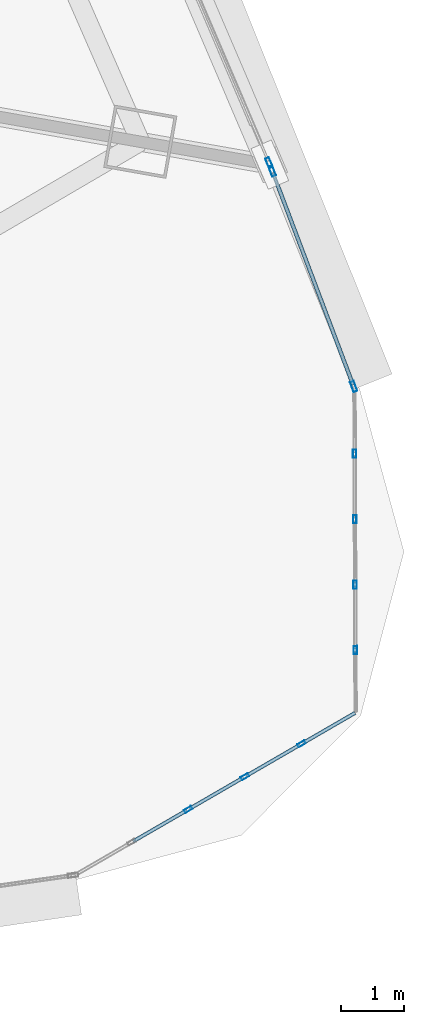
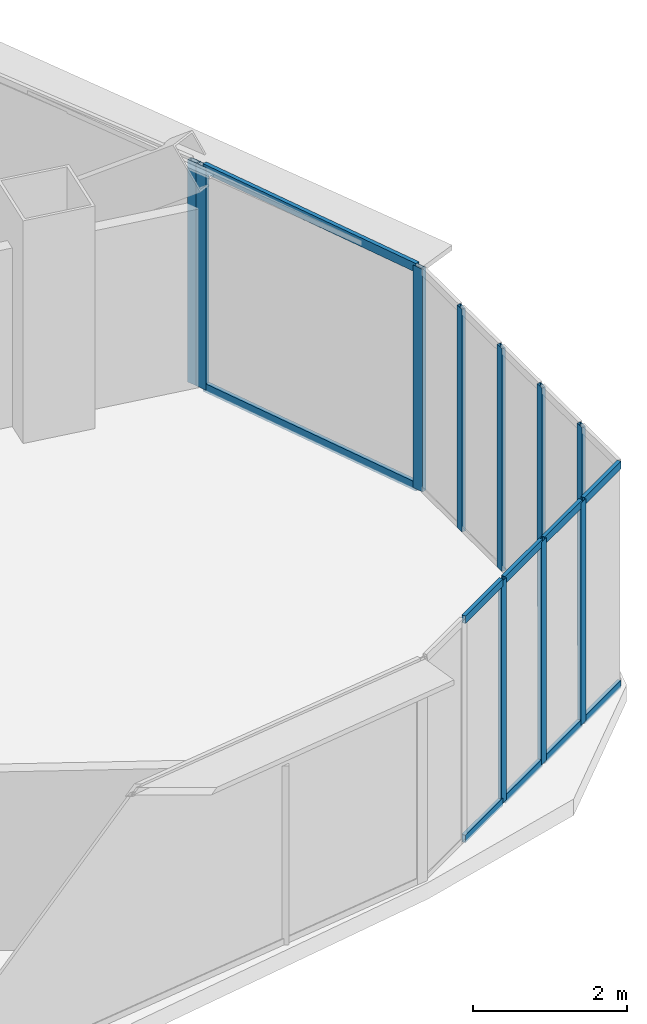
# One storey, part 22 of 39: 20 members, 4 elements without a shape of their own.
"""IFC4 building model written with IfcOpenShell, lengths in metres."""

from ifc_helpers import new_model, si_unit, direction, frame, origin, origin_2d, place, context, subcontext, project, spatial, hollow_rectangle, extrude, source, transform, mapped, material, layer, layer_set, material_profile, profile_set, type_object, element, aggregate, save


model = new_model("IFC4")

# Units and contexts
model_context = context("Model", 3, precision=1e-05, world=origin(), true_north=direction((0.0, 1.0)))
body_context = subcontext(model_context, "Body", "Model", "MODEL_VIEW")
ifc_project = project(units=[si_unit("LENGTHUNIT", "METRE"), si_unit("AREAUNIT", "SQUARE_METRE"), si_unit("VOLUMEUNIT", "CUBIC_METRE"), si_unit("PLANEANGLEUNIT", "RADIAN"), si_unit("MASSUNIT", "GRAM", prefix="KILO"), si_unit("THERMODYNAMICTEMPERATUREUNIT", "KELVIN"), si_unit("POWERUNIT", "WATT")], contexts=[model_context])

# Site, building, storey
site_placement = place(None, origin())
site = spatial("IfcSite", under=ifc_project, at=site_placement, CompositionType="ELEMENT")
building_placement = place(site_placement, origin())
building = spatial("IfcBuilding", under=site, at=building_placement, Name="Yunzhuo Pagoda Commons", CompositionType="ELEMENT")
storey_placement = place(building_placement, frame((0.0, 0.0, 92.580078125)))
storey = spatial("IfcBuildingStorey", under=building, at=storey_placement, Name="L23", CompositionType="ELEMENT", Elevation=92.580078125)

# Curtain wall, member
ifc_material = material(Name="Anodized aluminium 6063-T6", Category="aluminium")
ifc_layer_1 = layer(ifc_material, 0.1650390625)
ifc_layer_set_1 = layer_set([ifc_layer_1], Name="Anodized aluminium 6063-T6")
curtain_wall_type_1 = type_object("IfcCurtainWallType", Name="CW-LOW Low-Zone Ribbon Curtain Wall", PredefinedType="NOTDEFINED", material=ifc_layer_set_1)
curtain_wall_1_placement = place(storey_placement, origin())
curtain_wall_1 = element("IfcCurtainWall", 1, at=curtain_wall_1_placement, inside=storey, type_object=curtain_wall_type_1, Name="L23 curtain wall CW-L23-F2B2", PredefinedType="NOTDEFINED")
ifc_material_profile_1 = material_profile(ifc_material, hollow_rectangle(XDim=0.06494140625, YDim=0.1650390625, WallThickness=0.00390625, at=origin_2d()), Name="Anodized aluminium 6063-T6")
ifc_profile_set_1 = profile_set([ifc_material_profile_1], Name="Anodized aluminium 6063-T6")
member_type_1 = type_object("IfcMemberType", Name="CW-LOW-M Mullion RHS 165x65x4", PredefinedType="MULLION", material=ifc_profile_set_1)
shared_shape_1 = source(origin(), body_context, "Body", "SweptSolid", [
    extrude(hollow_rectangle(XDim=0.06494140625, YDim=0.1650390625, WallThickness=0.00390625, at=origin_2d()), origin(), (0.0, 0.0, 1.0), 3.5400390625),
])
member_1_placement = place(storey_placement, frame((88.39111328125, 26.60546875, 0.0), z_axis=(0.0, 0.0, 1.0), x_axis=(-0.919382894415, -0.393363818185, 0.0)))
member_1 = element("IfcMember", 2, at=member_1_placement, type_object=member_type_1, Name="CW mullion 1", PredefinedType="MULLION", context=body_context, shape_type="MappedRepresentation", body=[
    mapped(shared_shape_1, transform((0.0, 0.0, 0.0), scale=1.0)),
])
aggregate(curtain_wall_1, [member_1])

# Curtain wall, members
curtain_wall_2_placement = place(storey_placement, origin())
curtain_wall_2 = element("IfcCurtainWall", 3, at=curtain_wall_2_placement, inside=storey, type_object=curtain_wall_type_1, Name="L23 curtain wall CW-L23-F2B1", PredefinedType="NOTDEFINED")
member_2_placement = place(storey_placement, frame((89.731201171875, 23.062744140625, 0.0), z_axis=(0.0, 0.0, 1.0), x_axis=(-0.935454086355, -0.353448231461, 0.0)))
member_2 = element("IfcMember", 4, at=member_2_placement, type_object=member_type_1, Name="CW mullion 1", PredefinedType="MULLION", context=body_context, shape_type="MappedRepresentation", body=[
    mapped(shared_shape_1, transform((0.0, 0.0, 0.0), scale=1.0)),
])
member_3_placement = place(storey_placement, frame((88.442138671875, 26.47509765625, 0.0), z_axis=(0.0, 0.0, 1.0), x_axis=(-0.935454086355, -0.353448231461, 0.0)))
member_3 = element("IfcMember", 5, at=member_3_placement, type_object=member_type_1, Name="CW mullion 2", PredefinedType="MULLION", context=body_context, shape_type="MappedRepresentation", body=[
    mapped(shared_shape_1, transform((0.0, 0.0, 0.0), scale=1.0)),
])
ifc_material_profile_2 = material_profile(ifc_material, hollow_rectangle(XDim=0.06005859375, YDim=0.139892578125, WallThickness=0.00341796875, at=origin_2d()), Name="Anodized aluminium 6063-T6")
ifc_profile_set_2 = profile_set([ifc_material_profile_2], Name="Anodized aluminium 6063-T6")
member_type_2 = type_object("IfcMemberType", Name="CW-LOW-T Transom RHS 140x60x3.5", PredefinedType="USERDEFINED", material=ifc_profile_set_2)
shared_shape_2 = source(origin(), body_context, "Body", "SweptSolid", [
    extrude(hollow_rectangle(XDim=0.06005859375, YDim=0.139892578125, WallThickness=0.00341796875, at=origin_2d()), origin(), (0.0, 0.0, 1.0), 3.582763671875),
])
member_4_placement = place(storey_placement, frame((89.7197265625, 23.093017578125, 0.030029296875), z_axis=(-0.353452248865, 0.935452568425, 0.0), x_axis=(-0.935452568425, -0.353452248865, 0.0)))
member_4 = element("IfcMember", 6, at=member_4_placement, type_object=member_type_2, Name="CW transom 1.1", ObjectType="TRANSOM", PredefinedType="USERDEFINED", context=body_context, shape_type="MappedRepresentation", body=[
    mapped(shared_shape_2, transform((0.0, 0.0, 0.0), scale=1.0)),
])
member_5_placement = place(storey_placement, frame((89.7197265625, 23.093017578125, 3.510009765625), z_axis=(-0.353452248865, 0.935452568425, 0.0), x_axis=(-0.935452568425, -0.353452248865, 0.0)))
member_5 = element("IfcMember", 7, at=member_5_placement, type_object=member_type_2, Name="CW transom 1.2", ObjectType="TRANSOM", PredefinedType="USERDEFINED", context=body_context, shape_type="MappedRepresentation", body=[
    mapped(shared_shape_2, transform((0.0, 0.0, 0.0), scale=1.0)),
])
aggregate(curtain_wall_2, [member_2, member_3, member_4, member_5])

ifc_layer_2 = layer(ifc_material, 0.1298828125)
ifc_layer_set_2 = layer_set([ifc_layer_2], Name="Anodized aluminium 6063-T6")
curtain_wall_type_2 = type_object("IfcCurtainWallType", Name="CW-VTX Rounded Corner Curtain Wall", PredefinedType="NOTDEFINED", material=ifc_layer_set_2)
curtain_wall_3_placement = place(storey_placement, origin())
curtain_wall_3 = element("IfcCurtainWall", 8, at=curtain_wall_3_placement, inside=storey, type_object=curtain_wall_type_2, Name="L23 curtain wall CW-L23-VTX2S1", PredefinedType="NOTDEFINED")
ifc_material_profile_3 = material_profile(ifc_material, hollow_rectangle(XDim=0.054931640625, YDim=0.1298828125, WallThickness=0.00341796875, at=origin_2d()), Name="Anodized aluminium 6063-T6")
ifc_profile_set_3 = profile_set([ifc_material_profile_3], Name="Anodized aluminium 6063-T6")
member_type_3 = type_object("IfcMemberType", Name="CW-VTX-M Mullion RHS 130x55x3.5", PredefinedType="MULLION", material=ifc_profile_set_3)
shared_shape_3 = source(origin(), body_context, "Body", "SweptSolid", [
    extrude(hollow_rectangle(XDim=0.054931640625, YDim=0.1298828125, WallThickness=0.00341796875, at=origin_2d()), origin(), (0.0, 0.0, 1.0), 3.5400390625),
])
member_6_placement = place(storey_placement, frame((87.112548828125, 16.36767578125, 0.0), z_axis=(0.0, 0.0, 1.0), x_axis=(-0.501035509214, 0.865426726249, 0.0)))
member_6 = element("IfcMember", 9, at=member_6_placement, type_object=member_type_3, Name="CW mullion 3", PredefinedType="MULLION", context=body_context, shape_type="MappedRepresentation", body=[
    mapped(shared_shape_3, transform((0.0, 0.0, 0.0), scale=1.0)),
])
member_7_placement = place(storey_placement, frame((88.0087890625, 16.886474609375, 0.0), z_axis=(0.0, 0.0, 1.0), x_axis=(-0.501035509214, 0.865426726249, 0.0)))
member_7 = element("IfcMember", 10, at=member_7_placement, type_object=member_type_3, Name="CW mullion 4", PredefinedType="MULLION", context=body_context, shape_type="MappedRepresentation", body=[
    mapped(shared_shape_3, transform((0.0, 0.0, 0.0), scale=1.0)),
])
member_8_placement = place(storey_placement, frame((88.905029296875, 17.4052734375, 0.0), z_axis=(0.0, 0.0, 1.0), x_axis=(-0.501035509214, 0.865426726249, 0.0)))
member_8 = element("IfcMember", 11, at=member_8_placement, type_object=member_type_3, Name="CW mullion 5", PredefinedType="MULLION", context=body_context, shape_type="MappedRepresentation", body=[
    mapped(shared_shape_3, transform((0.0, 0.0, 0.0), scale=1.0)),
])

curtain_wall_4_placement = place(storey_placement, origin())
curtain_wall_4 = element("IfcCurtainWall", 12, at=curtain_wall_4_placement, inside=storey, type_object=curtain_wall_type_2, Name="L23 curtain wall CW-L23-VTX2S2", PredefinedType="NOTDEFINED")
member_9_placement = place(storey_placement, frame((89.757568359375, 18.89013671875, 0.0), z_axis=(0.0, 0.0, 1.0), x_axis=(-0.999993616843, -0.003572992237, 0.0)))
member_9 = element("IfcMember", 13, at=member_9_placement, type_object=member_type_3, Name="CW mullion 2", PredefinedType="MULLION", context=body_context, shape_type="MappedRepresentation", body=[
    mapped(shared_shape_3, transform((0.0, 0.0, 0.0), scale=1.0)),
])
member_10_placement = place(storey_placement, frame((89.75390625, 19.92578125, 0.0), z_axis=(0.0, 0.0, 1.0), x_axis=(-0.999993616843, -0.003572992237, 0.0)))
member_10 = element("IfcMember", 14, at=member_10_placement, type_object=member_type_3, Name="CW mullion 3", PredefinedType="MULLION", context=body_context, shape_type="MappedRepresentation", body=[
    mapped(shared_shape_3, transform((0.0, 0.0, 0.0), scale=1.0)),
])
member_11_placement = place(storey_placement, frame((89.75, 20.961181640625, 0.0), z_axis=(0.0, 0.0, 1.0), x_axis=(-0.999993616843, -0.003572992237, 0.0)))
member_11 = element("IfcMember", 15, at=member_11_placement, type_object=member_type_3, Name="CW mullion 4", PredefinedType="MULLION", context=body_context, shape_type="MappedRepresentation", body=[
    mapped(shared_shape_3, transform((0.0, 0.0, 0.0), scale=1.0)),
])
member_12_placement = place(storey_placement, frame((89.746337890625, 21.996826171875, 0.0), z_axis=(0.0, 0.0, 1.0), x_axis=(-0.999993616843, -0.003572992237, 0.0)))
member_12 = element("IfcMember", 16, at=member_12_placement, type_object=member_type_3, Name="CW mullion 5", PredefinedType="MULLION", context=body_context, shape_type="MappedRepresentation", body=[
    mapped(shared_shape_3, transform((0.0, 0.0, 0.0), scale=1.0)),
])
aggregate(curtain_wall_4, [member_9, member_10, member_11, member_12])

# Member
ifc_material_profile_4 = material_profile(ifc_material, hollow_rectangle(XDim=0.054931640625, YDim=0.1201171875, WallThickness=0.00341796875, at=origin_2d()), Name="Anodized aluminium 6063-T6")
ifc_profile_set_4 = profile_set([ifc_material_profile_4], Name="Anodized aluminium 6063-T6")
member_type_4 = type_object("IfcMemberType", Name="CW-VTX-T Transom RHS 120x55x3.5", PredefinedType="USERDEFINED", material=ifc_profile_set_4)
shared_shape_4 = source(origin(), body_context, "Body", "SweptSolid", [
    extrude(hollow_rectangle(XDim=0.054931640625, YDim=0.1201171875, WallThickness=0.00341796875, at=origin_2d()), origin(), (0.0, 0.0, 1.0), 0.980224609375),
])
member_13_placement = place(storey_placement, frame((87.136474609375, 16.38134765625, 0.02734375), z_axis=(0.865409234617, 0.501065720878, 0.0), x_axis=(-0.501065720878, 0.865409234617, 0.0)))
member_13 = element("IfcMember", 17, at=member_13_placement, type_object=member_type_4, Name="CW transom 3.1", ObjectType="TRANSOM", PredefinedType="USERDEFINED", context=body_context, shape_type="MappedRepresentation", body=[
    mapped(shared_shape_4, transform((0.0, 0.0, 0.0), scale=1.0)),
])

member_14_placement = place(storey_placement, frame((87.136474609375, 16.38134765625, 3.512451171875), z_axis=(0.865409234617, 0.501065720878, 0.0), x_axis=(-0.501065720878, 0.865409234617, 0.0)))
member_14 = element("IfcMember", 18, at=member_14_placement, type_object=member_type_4, Name="CW transom 3.2", ObjectType="TRANSOM", PredefinedType="USERDEFINED", context=body_context, shape_type="MappedRepresentation", body=[
    mapped(shared_shape_4, transform((0.0, 0.0, 0.0), scale=1.0)),
])

shared_shape_5 = source(origin(), body_context, "Body", "SweptSolid", [
    extrude(hollow_rectangle(XDim=0.054931640625, YDim=0.1201171875, WallThickness=0.00341796875, at=origin_2d()), origin(), (0.0, 0.0, 1.0), 0.980712890625),
])
member_15_placement = place(storey_placement, frame((88.032470703125, 16.900390625, 0.02734375), z_axis=(0.865534204498, 0.500849818651, 0.0), x_axis=(-0.500849818651, 0.865534204498, 0.0)))
member_15 = element("IfcMember", 19, at=member_15_placement, type_object=member_type_4, Name="CW transom 4.1", ObjectType="TRANSOM", PredefinedType="USERDEFINED", context=body_context, shape_type="MappedRepresentation", body=[
    mapped(shared_shape_5, transform((0.0, 0.0, 0.0), scale=1.0)),
])

member_16_placement = place(storey_placement, frame((88.032470703125, 16.900390625, 3.512451171875), z_axis=(0.865534204498, 0.500849818651, 0.0), x_axis=(-0.500849818651, 0.865534204498, 0.0)))
member_16 = element("IfcMember", 20, at=member_16_placement, type_object=member_type_4, Name="CW transom 4.2", ObjectType="TRANSOM", PredefinedType="USERDEFINED", context=body_context, shape_type="MappedRepresentation", body=[
    mapped(shared_shape_5, transform((0.0, 0.0, 0.0), scale=1.0)),
])

shared_shape_6 = source(origin(), body_context, "Body", "SweptSolid", [
    extrude(hollow_rectangle(XDim=0.054931640625, YDim=0.1201171875, WallThickness=0.00341796875, at=origin_2d()), origin(), (0.0, 0.0, 1.0), 0.98046875),
])
member_17_placement = place(storey_placement, frame((86.240234375, 15.862548828125, 0.02734375), z_axis=(0.865471739755, 0.500957750399, 0.0), x_axis=(-0.500957750399, 0.865471739755, 0.0)))
member_17 = element("IfcMember", 21, at=member_17_placement, type_object=member_type_4, Name="CW transom 2.1", ObjectType="TRANSOM", PredefinedType="USERDEFINED", context=body_context, shape_type="MappedRepresentation", body=[
    mapped(shared_shape_6, transform((0.0, 0.0, 0.0), scale=1.0)),
])

member_18_placement = place(storey_placement, frame((86.240234375, 15.862548828125, 3.512451171875), z_axis=(0.865471739755, 0.500957750399, 0.0), x_axis=(-0.500957750399, 0.865471739755, 0.0)))
member_18 = element("IfcMember", 22, at=member_18_placement, type_object=member_type_4, Name="CW transom 2.2", ObjectType="TRANSOM", PredefinedType="USERDEFINED", context=body_context, shape_type="MappedRepresentation", body=[
    mapped(shared_shape_6, transform((0.0, 0.0, 0.0), scale=1.0)),
])

shared_shape_7 = source(origin(), body_context, "Body", "SweptSolid", [
    extrude(hollow_rectangle(XDim=0.054931640625, YDim=0.1201171875, WallThickness=0.00341796875, at=origin_2d()), origin(), (0.0, 0.0, 1.0), 0.952880859375),
])
member_19_placement = place(storey_placement, frame((88.9287109375, 17.4189453125, 0.02734375), z_axis=(0.865391204156, 0.501096860666, 0.0), x_axis=(-0.501096860666, 0.865391204156, 0.0)))
member_19 = element("IfcMember", 23, at=member_19_placement, type_object=member_type_4, Name="CW transom 5.1", ObjectType="TRANSOM", PredefinedType="USERDEFINED", context=body_context, shape_type="MappedRepresentation", body=[
    mapped(shared_shape_7, transform((0.0, 0.0, 0.0), scale=1.0)),
])

member_20_placement = place(storey_placement, frame((88.9287109375, 17.4189453125, 3.512451171875), z_axis=(0.865391204156, 0.501096860666, 0.0), x_axis=(-0.501096860666, 0.865391204156, 0.0)))
member_20 = element("IfcMember", 24, at=member_20_placement, type_object=member_type_4, Name="CW transom 5.2", ObjectType="TRANSOM", PredefinedType="USERDEFINED", context=body_context, shape_type="MappedRepresentation", body=[
    mapped(shared_shape_7, transform((0.0, 0.0, 0.0), scale=1.0)),
])

aggregate(curtain_wall_3, [member_6, member_7, member_8, member_17, member_18, member_13, member_14, member_15, member_16, member_19, member_20])

save(model, "model.ifc")
